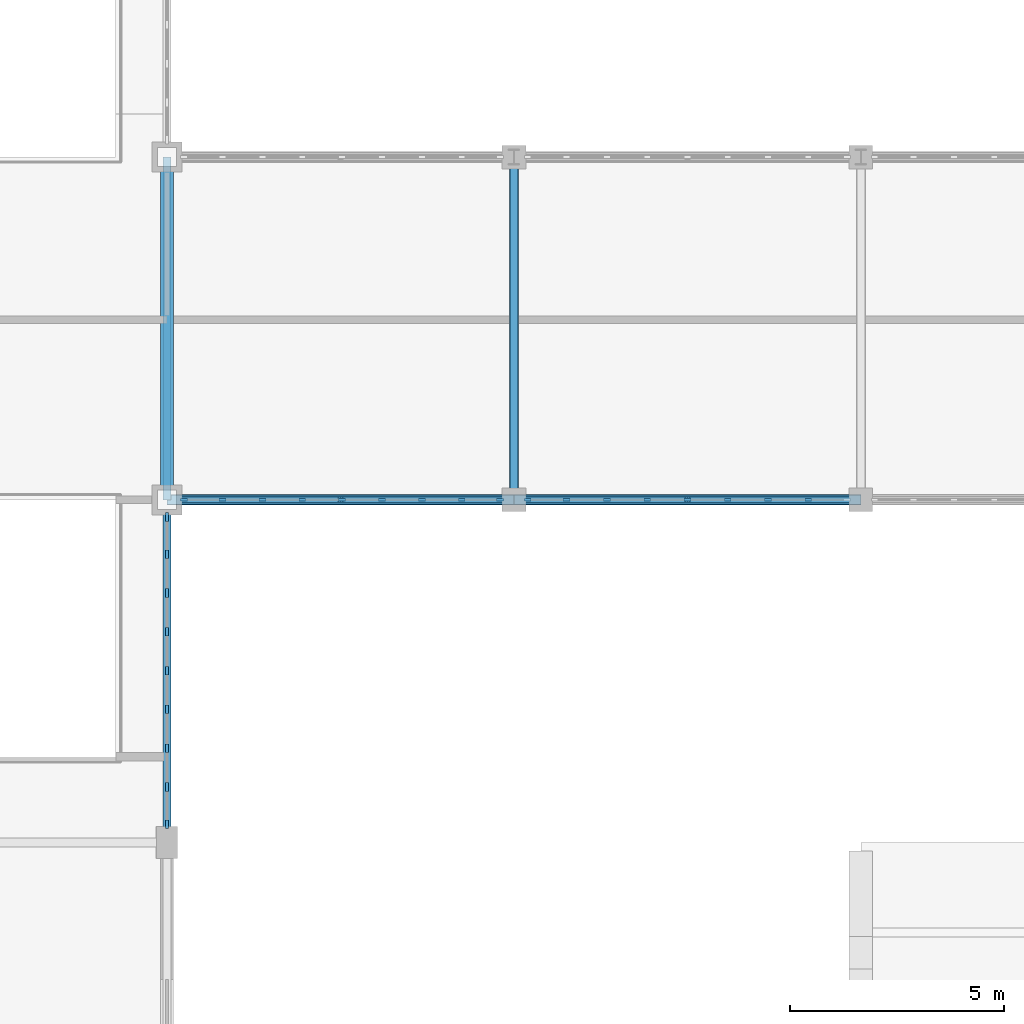
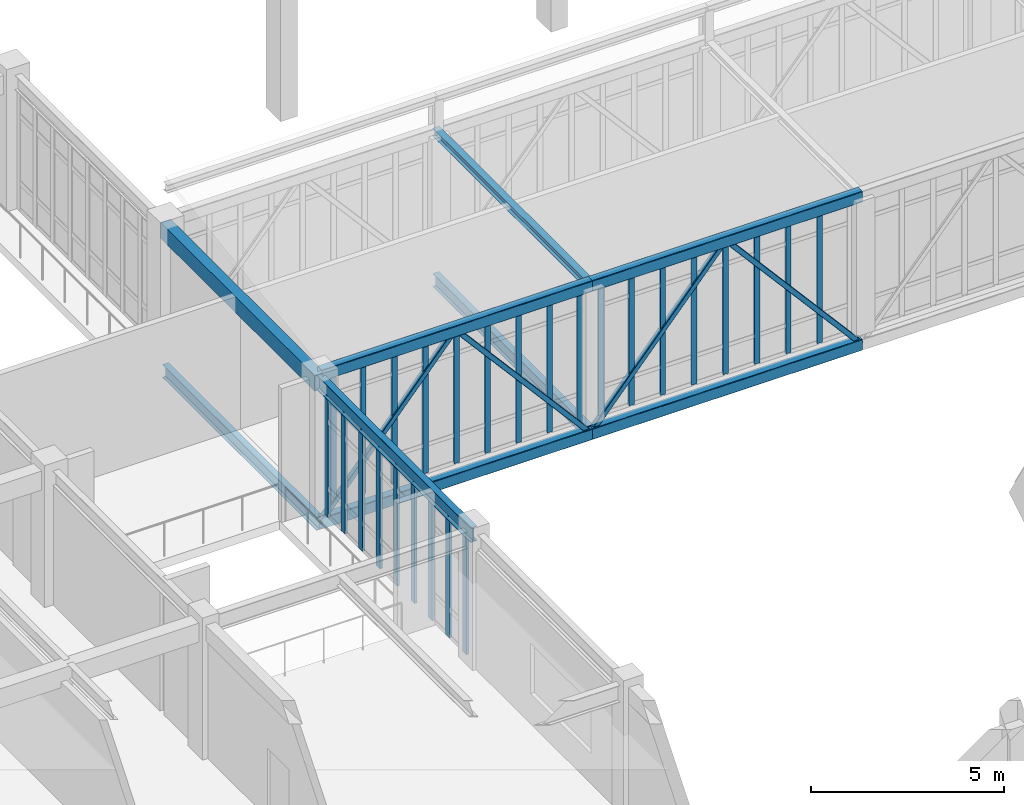
# One storey, part 5 of 67: 34 members, 5 beams, 3 elements without a shape of their own.
"""IFC4 building model written with IfcOpenShell, lengths in metres."""

from ifc_helpers import new_model, si_unit, direction, frame, origin, origin_2d, place, context, subcontext, project, spatial, rectangle, hollow_rectangle, i_section, extrude, material, material_profile, profile_set, type_object, element, aggregate, save


model = new_model("IFC4")

# Units and contexts
model_context = context("Model", 3, precision=1e-05, world=origin(), true_north=direction((0.0, 1.0)))
body_context = subcontext(model_context, "Body", "Model", "MODEL_VIEW")
ifc_project = project(units=[si_unit("LENGTHUNIT", "METRE"), si_unit("AREAUNIT", "SQUARE_METRE"), si_unit("VOLUMEUNIT", "CUBIC_METRE"), si_unit("PLANEANGLEUNIT", "RADIAN"), si_unit("MASSUNIT", "GRAM", prefix="KILO")], contexts=[model_context])

# Site, building, storey
site_placement = place(None, origin())
site = spatial("IfcSite", under=ifc_project, at=site_placement, CompositionType="ELEMENT")
building_placement = place(site_placement, origin())
building = spatial("IfcBuilding", under=site, at=building_placement, Name="Tarnveldt Square Police Headquarters", CompositionType="ELEMENT")
storey_placement = place(building_placement, frame((0.0, 0.0, 10.199951171875)))
storey = spatial("IfcBuildingStorey", under=building, at=storey_placement, Name="L02", CompositionType="ELEMENT", Elevation=10.199951171875)

# Beams
ifc_material_1 = material(Name="Concrete 40 MPa", Category="concrete")
ifc_material_profile_1 = material_profile(ifc_material_1, rectangle(XDim=0.300048828125, YDim=0.5, at=origin_2d()), Name="RC-B300x500")
ifc_profile_set_1 = profile_set([ifc_material_profile_1], Name="Concrete 40 MPa")
beam_type_1 = type_object("IfcBeamType", Name="BM-RC300x500", PredefinedType="BEAM", material=ifc_profile_set_1)
beam_1_placement = place(storey_placement, frame((48.60009765625, 56.0, 3.989990234375), z_axis=(0.0, 1.0, 0.0), x_axis=(-1.0, 0.0, 0.0)))
element("IfcBeam", 1, at=beam_1_placement, inside=storey, type_object=beam_type_1, Name="L03 Grid Girder Y-0778", PredefinedType="BEAM", context=body_context, shape_type="SweptSolid", body=[
    extrude(rectangle(XDim=0.300048828125, YDim=0.5, at=origin_2d()), origin(), (0.0, 0.0, 1.0), 8.0),
])
ifc_material_2 = material(Name="Steel 350W", Category="steel")
ifc_material_profile_2 = material_profile(ifc_material_2, i_section(OverallWidth=0.202880859375, OverallDepth=0.251953125, WebThickness=0.008056640625, FlangeThickness=0.013427734375, FilletRadius=0.012939453125, at=origin_2d()), Name="W250x58")
ifc_profile_set_2 = profile_set([ifc_material_profile_2], Name="Steel 350W")
beam_type_2 = type_object("IfcBeamType", Name="BM-W250x58", PredefinedType="BEAM", material=ifc_profile_set_2)
beam_2_placement = place(storey_placement, frame((56.699951171875, 56.0, 4.25), z_axis=(0.0, 1.0, 0.0), x_axis=(-1.0, 0.0, 0.0)))
element("IfcBeam", 2, at=beam_2_placement, inside=storey, type_object=beam_type_2, Name="Skybridge SBS Roof Strut 2", PredefinedType="BEAM", context=body_context, shape_type="SweptSolid", body=[
    extrude(i_section(OverallWidth=0.202880859375, OverallDepth=0.251953125, WebThickness=0.008056640625, FlangeThickness=0.013427734375, FilletRadius=0.012939453125, at=origin_2d()), origin(), (0.0, 0.0, 1.0), 8.0),
])
ifc_material_profile_3 = material_profile(ifc_material_2, i_section(OverallWidth=0.180908203125, OverallDepth=0.4169921875, WebThickness=0.010986328125, FlangeThickness=0.018310546875, FilletRadius=0.01611328125, at=origin_2d()), Name="W410x85")
ifc_profile_set_3 = profile_set([ifc_material_profile_3], Name="Steel 350W")
beam_type_3 = type_object("IfcBeamType", Name="BM-W410x85", PredefinedType="BEAM", material=ifc_profile_set_3)
for number, where, z_axis, x_axis, name in (
    (3, (48.60009765625, 56.0, -0.488525390625), (0.0, 1.0, 0.0), (-1.0, 0.0, 0.0), "Skybridge SBS Floor Crossbeam 1"),
    (4, (56.699951171875, 56.0, -0.43994140625), (0.0, 1.0, 0.0), (-1.0, 0.0, 0.0), "Skybridge SBS Floor Crossbeam 2"),
):
    element("IfcBeam", number, at=place(storey_placement, frame(where, z_axis=z_axis, x_axis=x_axis)), inside=storey, type_object=beam_type_3, Name=name, PredefinedType="BEAM", context=body_context, shape_type="SweptSolid", body=[
        extrude(i_section(OverallWidth=0.180908203125, OverallDepth=0.4169921875, WebThickness=0.010986328125, FlangeThickness=0.018310546875, FilletRadius=0.01611328125, at=origin_2d()), origin(), (0.0, 0.0, 1.0), 8.0),
    ])
ifc_material_profile_4 = material_profile(ifc_material_2, i_section(OverallWidth=0.19189453125, OverallDepth=0.462890625, WebThickness=0.010498046875, FlangeThickness=0.017578125, FilletRadius=0.01806640625, at=origin_2d()), Name="W460x89")
ifc_profile_set_4 = profile_set([ifc_material_profile_4], Name="Steel 350W")
beam_type_4 = type_object("IfcBeamType", Name="BM-W460x89", PredefinedType="BEAM", material=ifc_profile_set_4)
beam_3_placement = place(storey_placement, frame((48.60009765625, 48.0, 4.008544921875), z_axis=(0.0, 1.0, 0.0), x_axis=(-1.0, 0.0, 0.0)))
element("IfcBeam", 5, at=beam_3_placement, inside=storey, type_object=beam_type_4, Name="L03 Grid Girder Y-0777", PredefinedType="BEAM", context=body_context, shape_type="SweptSolid", body=[
    extrude(i_section(OverallWidth=0.19189453125, OverallDepth=0.462890625, WebThickness=0.010498046875, FlangeThickness=0.017578125, FilletRadius=0.01806640625, at=origin_2d()), origin(), (0.0, 0.0, 1.0), 8.0),
])

# Curtain wall, members
ifc_material_3 = material(Name="Triple-glazed low-e laminated vision glass", Category="glass")
curtain_wall_type_1 = type_object("IfcCurtainWallType", Name="CW-SB-744x424", PredefinedType="USERDEFINED", material=ifc_material_3)
curtain_wall_1_placement = place(storey_placement, origin())
curtain_wall_1 = element("IfcCurtainWall", 6, at=curtain_wall_1_placement, inside=storey, type_object=curtain_wall_type_1, Name="L02 Curtain Wall CW-L02-138", ObjectType="GLAZED CURTAIN WALL", PredefinedType="USERDEFINED")
ifc_material_4 = material(Name="Thermally broken anodised aluminium 6063-T6", Category="aluminium")
ifc_material_profile_5 = material_profile(ifc_material_4, rectangle(XDim=0.06494140625, YDim=0.159912109375, at=origin_2d()), Name="CW-M65x160")
ifc_profile_set_5 = profile_set([ifc_material_profile_5], Name="Thermally broken anodised aluminium 6063-T6")
member_type_1 = type_object("IfcMemberType", Name="CWM-65x160", PredefinedType="MULLION", material=ifc_profile_set_5)
member_1_placement = place(storey_placement, frame((48.99755859375, 56.0, 0.0), z_axis=(0.0, 0.0, 1.0), x_axis=(0.0, 1.0, 0.0)))
member_1 = element("IfcMember", 7, at=member_1_placement, type_object=member_type_1, Name="CW-SB85 mullion 1", PredefinedType="MULLION", context=body_context, shape_type="SweptSolid", body=[
    extrude(rectangle(XDim=0.06494140625, YDim=0.159912109375, at=origin_2d()), origin(), (0.0, 0.0, 1.0), 4.239990234375),
])
member_2_placement = place(storey_placement, frame((49.8955078125, 56.0, 0.0), z_axis=(0.0, 0.0, 1.0), x_axis=(0.0, 1.0, 0.0)))
member_2 = element("IfcMember", 8, at=member_2_placement, type_object=member_type_1, Name="CW-SB85 mullion 2", PredefinedType="MULLION", context=body_context, shape_type="SweptSolid", body=[
    extrude(rectangle(XDim=0.06494140625, YDim=0.159912109375, at=origin_2d()), origin(), (0.0, 0.0, 1.0), 4.239990234375),
])
member_3_placement = place(storey_placement, frame((50.826171875, 56.0, 0.0), z_axis=(0.0, 0.0, 1.0), x_axis=(0.0, 1.0, 0.0)))
member_3 = element("IfcMember", 9, at=member_3_placement, type_object=member_type_1, Name="CW-SB85 mullion 3", PredefinedType="MULLION", context=body_context, shape_type="SweptSolid", body=[
    extrude(rectangle(XDim=0.06494140625, YDim=0.159912109375, at=origin_2d()), origin(), (0.0, 0.0, 1.0), 4.239990234375),
])
member_4_placement = place(storey_placement, frame((51.7568359375, 56.0, 0.0), z_axis=(0.0, 0.0, 1.0), x_axis=(0.0, 1.0, 0.0)))
member_4 = element("IfcMember", 10, at=member_4_placement, type_object=member_type_1, Name="CW-SB85 mullion 4", PredefinedType="MULLION", context=body_context, shape_type="SweptSolid", body=[
    extrude(rectangle(XDim=0.06494140625, YDim=0.159912109375, at=origin_2d()), origin(), (0.0, 0.0, 1.0), 4.239990234375),
])
member_5_placement = place(storey_placement, frame((52.6875, 56.0, 0.0), z_axis=(0.0, 0.0, 1.0), x_axis=(0.0, 1.0, 0.0)))
member_5 = element("IfcMember", 11, at=member_5_placement, type_object=member_type_1, Name="CW-SB85 mullion 5", PredefinedType="MULLION", context=body_context, shape_type="SweptSolid", body=[
    extrude(rectangle(XDim=0.06494140625, YDim=0.159912109375, at=origin_2d()), origin(), (0.0, 0.0, 1.0), 4.239990234375),
])
member_6_placement = place(storey_placement, frame((53.6181640625, 56.0, 0.0), z_axis=(0.0, 0.0, 1.0), x_axis=(0.0, 1.0, 0.0)))
member_6 = element("IfcMember", 12, at=member_6_placement, type_object=member_type_1, Name="CW-SB85 mullion 6", PredefinedType="MULLION", context=body_context, shape_type="SweptSolid", body=[
    extrude(rectangle(XDim=0.06494140625, YDim=0.159912109375, at=origin_2d()), origin(), (0.0, 0.0, 1.0), 4.239990234375),
])
member_7_placement = place(storey_placement, frame((54.548828125, 56.0, 0.0), z_axis=(0.0, 0.0, 1.0), x_axis=(0.0, 1.0, 0.0)))
member_7 = element("IfcMember", 13, at=member_7_placement, type_object=member_type_1, Name="CW-SB85 mullion 7", PredefinedType="MULLION", context=body_context, shape_type="SweptSolid", body=[
    extrude(rectangle(XDim=0.06494140625, YDim=0.159912109375, at=origin_2d()), origin(), (0.0, 0.0, 1.0), 4.239990234375),
])
member_8_placement = place(storey_placement, frame((55.4794921875, 56.0, 0.0), z_axis=(0.0, 0.0, 1.0), x_axis=(0.0, 1.0, 0.0)))
member_8 = element("IfcMember", 14, at=member_8_placement, type_object=member_type_1, Name="CW-SB85 mullion 8", PredefinedType="MULLION", context=body_context, shape_type="SweptSolid", body=[
    extrude(rectangle(XDim=0.06494140625, YDim=0.159912109375, at=origin_2d()), origin(), (0.0, 0.0, 1.0), 4.239990234375),
])
member_9_placement = place(storey_placement, frame((56.37744140625, 56.0, 0.0), z_axis=(0.0, 0.0, 1.0), x_axis=(0.0, 1.0, 0.0)))
member_9 = element("IfcMember", 15, at=member_9_placement, type_object=member_type_1, Name="CW-SB85 mullion 9", PredefinedType="MULLION", context=body_context, shape_type="SweptSolid", body=[
    extrude(rectangle(XDim=0.06494140625, YDim=0.159912109375, at=origin_2d()), origin(), (0.0, 0.0, 1.0), 4.239990234375),
])
aggregate(curtain_wall_1, [member_1, member_2, member_3, member_4, member_5, member_6, member_7, member_8, member_9])

curtain_wall_type_2 = type_object("IfcCurtainWallType", Name="CW-SB-752x424", PredefinedType="USERDEFINED", material=ifc_material_3)
curtain_wall_2_placement = place(storey_placement, origin())
curtain_wall_2 = element("IfcCurtainWall", 16, at=curtain_wall_2_placement, inside=storey, type_object=curtain_wall_type_2, Name="L02 Curtain Wall CW-L02-139", ObjectType="GLAZED CURTAIN WALL", PredefinedType="USERDEFINED")
member_10_placement = place(storey_placement, frame((57.0224609375, 56.0, 0.0), z_axis=(0.0, 0.0, 1.0), x_axis=(0.0, 1.0, 0.0)))
member_10 = element("IfcMember", 17, at=member_10_placement, type_object=member_type_1, Name="CW-SB86 mullion 1", PredefinedType="MULLION", context=body_context, shape_type="SweptSolid", body=[
    extrude(rectangle(XDim=0.06494140625, YDim=0.159912109375, at=origin_2d()), origin(), (0.0, 0.0, 1.0), 4.239990234375),
])
member_11_placement = place(storey_placement, frame((57.929931640625, 56.0, 0.0), z_axis=(0.0, 0.0, 1.0), x_axis=(0.0, 1.0, 0.0)))
member_11 = element("IfcMember", 18, at=member_11_placement, type_object=member_type_1, Name="CW-SB86 mullion 2", PredefinedType="MULLION", context=body_context, shape_type="SweptSolid", body=[
    extrude(rectangle(XDim=0.06494140625, YDim=0.159912109375, at=origin_2d()), origin(), (0.0, 0.0, 1.0), 4.239990234375),
])
member_12_placement = place(storey_placement, frame((58.8701171875, 56.0, 0.0), z_axis=(0.0, 0.0, 1.0), x_axis=(0.0, 1.0, 0.0)))
member_12 = element("IfcMember", 19, at=member_12_placement, type_object=member_type_1, Name="CW-SB86 mullion 3", PredefinedType="MULLION", context=body_context, shape_type="SweptSolid", body=[
    extrude(rectangle(XDim=0.06494140625, YDim=0.159912109375, at=origin_2d()), origin(), (0.0, 0.0, 1.0), 4.239990234375),
])
member_13_placement = place(storey_placement, frame((59.81005859375, 56.0, 0.0), z_axis=(0.0, 0.0, 1.0), x_axis=(0.0, 1.0, 0.0)))
member_13 = element("IfcMember", 20, at=member_13_placement, type_object=member_type_1, Name="CW-SB86 mullion 4", PredefinedType="MULLION", context=body_context, shape_type="SweptSolid", body=[
    extrude(rectangle(XDim=0.06494140625, YDim=0.159912109375, at=origin_2d()), origin(), (0.0, 0.0, 1.0), 4.239990234375),
])
member_14_placement = place(storey_placement, frame((60.75, 56.0, 0.0), z_axis=(0.0, 0.0, 1.0), x_axis=(0.0, 1.0, 0.0)))
member_14 = element("IfcMember", 21, at=member_14_placement, type_object=member_type_1, Name="CW-SB86 mullion 5", PredefinedType="MULLION", context=body_context, shape_type="SweptSolid", body=[
    extrude(rectangle(XDim=0.06494140625, YDim=0.159912109375, at=origin_2d()), origin(), (0.0, 0.0, 1.0), 4.239990234375),
])
member_15_placement = place(storey_placement, frame((61.68994140625, 56.0, 0.0), z_axis=(0.0, 0.0, 1.0), x_axis=(0.0, 1.0, 0.0)))
member_15 = element("IfcMember", 22, at=member_15_placement, type_object=member_type_1, Name="CW-SB86 mullion 6", PredefinedType="MULLION", context=body_context, shape_type="SweptSolid", body=[
    extrude(rectangle(XDim=0.06494140625, YDim=0.159912109375, at=origin_2d()), origin(), (0.0, 0.0, 1.0), 4.239990234375),
])
member_16_placement = place(storey_placement, frame((62.6298828125, 56.0, 0.0), z_axis=(0.0, 0.0, 1.0), x_axis=(0.0, 1.0, 0.0)))
member_16 = element("IfcMember", 23, at=member_16_placement, type_object=member_type_1, Name="CW-SB86 mullion 7", PredefinedType="MULLION", context=body_context, shape_type="SweptSolid", body=[
    extrude(rectangle(XDim=0.06494140625, YDim=0.159912109375, at=origin_2d()), origin(), (0.0, 0.0, 1.0), 4.239990234375),
])
member_17_placement = place(storey_placement, frame((63.570068359375, 56.0, 0.0), z_axis=(0.0, 0.0, 1.0), x_axis=(0.0, 1.0, 0.0)))
member_17 = element("IfcMember", 24, at=member_17_placement, type_object=member_type_1, Name="CW-SB86 mullion 8", PredefinedType="MULLION", context=body_context, shape_type="SweptSolid", body=[
    extrude(rectangle(XDim=0.06494140625, YDim=0.159912109375, at=origin_2d()), origin(), (0.0, 0.0, 1.0), 4.239990234375),
])
aggregate(curtain_wall_2, [member_10, member_11, member_12, member_13, member_14, member_15, member_16, member_17])

curtain_wall_type_3 = type_object("IfcCurtainWallType", Name="CW-WG-724x377", PredefinedType="USERDEFINED", material=ifc_material_3)
curtain_wall_3_placement = place(storey_placement, origin())
curtain_wall_3 = element("IfcCurtainWall", 25, at=curtain_wall_3_placement, inside=storey, type_object=curtain_wall_type_3, Name="L02 Curtain Wall CW-L02-073", ObjectType="GLAZED CURTAIN WALL", PredefinedType="USERDEFINED")
ifc_material_profile_6 = material_profile(ifc_material_4, rectangle(XDim=0.074951171875, YDim=0.199951171875, at=origin_2d()), Name="CW-M75x200")
ifc_profile_set_6 = profile_set([ifc_material_profile_6], Name="Thermally broken anodised aluminium 6063-T6")
member_type_2 = type_object("IfcMemberType", Name="CWM-75x200", PredefinedType="MULLION", material=ifc_profile_set_6)
member_18_placement = place(storey_placement, frame((48.60009765625, 48.427490234375, 0.0), z_axis=(0.0, 0.0, 1.0), x_axis=(-1.0, 0.0, 0.0)))
member_18 = element("IfcMember", 26, at=member_18_placement, type_object=member_type_2, Name="CW-WG33 mullion 1", PredefinedType="MULLION", context=body_context, shape_type="SweptSolid", body=[
    extrude(rectangle(XDim=0.074951171875, YDim=0.199951171875, at=origin_2d()), origin(), (0.0, 0.0, 1.0), 3.76904296875),
])
member_19_placement = place(storey_placement, frame((48.60009765625, 49.295654296875, 0.0), z_axis=(0.0, 0.0, 1.0), x_axis=(-1.0, 0.0, 0.0)))
member_19 = element("IfcMember", 27, at=member_19_placement, type_object=member_type_2, Name="CW-WG33 mullion 2", PredefinedType="MULLION", context=body_context, shape_type="SweptSolid", body=[
    extrude(rectangle(XDim=0.074951171875, YDim=0.199951171875, at=origin_2d()), origin(), (0.0, 0.0, 1.0), 3.76904296875),
])
member_20_placement = place(storey_placement, frame((48.60009765625, 50.201171875, 0.0), z_axis=(0.0, 0.0, 1.0), x_axis=(-1.0, 0.0, 0.0)))
member_20 = element("IfcMember", 28, at=member_20_placement, type_object=member_type_2, Name="CW-WG33 mullion 3", PredefinedType="MULLION", context=body_context, shape_type="SweptSolid", body=[
    extrude(rectangle(XDim=0.074951171875, YDim=0.199951171875, at=origin_2d()), origin(), (0.0, 0.0, 1.0), 3.76904296875),
])
member_21_placement = place(storey_placement, frame((48.60009765625, 51.10693359375, 0.0), z_axis=(0.0, 0.0, 1.0), x_axis=(-1.0, 0.0, 0.0)))
member_21 = element("IfcMember", 29, at=member_21_placement, type_object=member_type_2, Name="CW-WG33 mullion 4", PredefinedType="MULLION", context=body_context, shape_type="SweptSolid", body=[
    extrude(rectangle(XDim=0.074951171875, YDim=0.199951171875, at=origin_2d()), origin(), (0.0, 0.0, 1.0), 3.76904296875),
])
member_22_placement = place(storey_placement, frame((48.60009765625, 52.012451171875, 0.0), z_axis=(0.0, 0.0, 1.0), x_axis=(-1.0, 0.0, 0.0)))
member_22 = element("IfcMember", 30, at=member_22_placement, type_object=member_type_2, Name="CW-WG33 mullion 5", PredefinedType="MULLION", context=body_context, shape_type="SweptSolid", body=[
    extrude(rectangle(XDim=0.074951171875, YDim=0.199951171875, at=origin_2d()), origin(), (0.0, 0.0, 1.0), 3.76904296875),
])
member_23_placement = place(storey_placement, frame((48.60009765625, 52.918212890625, 0.0), z_axis=(0.0, 0.0, 1.0), x_axis=(-1.0, 0.0, 0.0)))
member_23 = element("IfcMember", 31, at=member_23_placement, type_object=member_type_2, Name="CW-WG33 mullion 6", PredefinedType="MULLION", context=body_context, shape_type="SweptSolid", body=[
    extrude(rectangle(XDim=0.074951171875, YDim=0.199951171875, at=origin_2d()), origin(), (0.0, 0.0, 1.0), 3.76904296875),
])
member_24_placement = place(storey_placement, frame((48.60009765625, 53.82373046875, 0.0), z_axis=(0.0, 0.0, 1.0), x_axis=(-1.0, 0.0, 0.0)))
member_24 = element("IfcMember", 32, at=member_24_placement, type_object=member_type_2, Name="CW-WG33 mullion 7", PredefinedType="MULLION", context=body_context, shape_type="SweptSolid", body=[
    extrude(rectangle(XDim=0.074951171875, YDim=0.199951171875, at=origin_2d()), origin(), (0.0, 0.0, 1.0), 3.76904296875),
])
member_25_placement = place(storey_placement, frame((48.60009765625, 54.7294921875, 0.0), z_axis=(0.0, 0.0, 1.0), x_axis=(-1.0, 0.0, 0.0)))
member_25 = element("IfcMember", 33, at=member_25_placement, type_object=member_type_2, Name="CW-WG33 mullion 8", PredefinedType="MULLION", context=body_context, shape_type="SweptSolid", body=[
    extrude(rectangle(XDim=0.074951171875, YDim=0.199951171875, at=origin_2d()), origin(), (0.0, 0.0, 1.0), 3.76904296875),
])
member_26_placement = place(storey_placement, frame((48.60009765625, 55.597412109375, 0.0), z_axis=(0.0, 0.0, 1.0), x_axis=(-1.0, 0.0, 0.0)))
member_26 = element("IfcMember", 34, at=member_26_placement, type_object=member_type_2, Name="CW-WG33 mullion 9", PredefinedType="MULLION", context=body_context, shape_type="SweptSolid", body=[
    extrude(rectangle(XDim=0.074951171875, YDim=0.199951171875, at=origin_2d()), origin(), (0.0, 0.0, 1.0), 3.76904296875),
])
aggregate(curtain_wall_3, [member_18, member_19, member_20, member_21, member_22, member_23, member_24, member_25, member_26])

# Members
ifc_material_profile_7 = material_profile(ifc_material_2, hollow_rectangle(XDim=0.25390625, YDim=0.355712890625, WallThickness=0.015869140625, InnerFilletRadius=0.015869140625, OuterFilletRadius=0.03173828125, at=origin_2d()), Name="HSS356x254x16")
ifc_profile_set_7 = profile_set([ifc_material_profile_7], Name="Steel 350W")
member_type_3 = type_object("IfcMemberType", Name="MEM-SB-CHORD", PredefinedType="CHORD", material=ifc_profile_set_7)
for number, where, z_axis, x_axis, name in (
    (35, (48.60009765625, 56.0, -0.43994140625), (1.0, 0.0, 0.0), (0.0, 1.0, 0.0), "Skybridge SBS Bottom Chord S1"),
    (36, (48.60009765625, 56.0, 4.25), (1.0, 0.0, 0.0), (0.0, 1.0, 0.0), "Skybridge SBS Top Chord S1"),
):
    element("IfcMember", number, at=place(storey_placement, frame(where, z_axis=z_axis, x_axis=x_axis)), inside=storey, type_object=member_type_3, Name=name, PredefinedType="CHORD", context=body_context, shape_type="SweptSolid", body=[
        extrude(hollow_rectangle(XDim=0.25390625, YDim=0.355712890625, WallThickness=0.015869140625, InnerFilletRadius=0.015869140625, OuterFilletRadius=0.03173828125, at=origin_2d()), origin(), (0.0, 0.0, 1.0), 8.099853515625),
    ])
for number, where, z_axis, x_axis, name in (
    (37, (56.699951171875, 56.0, -0.43994140625), (1.0, 0.0, 0.0), (0.0, 1.0, 0.0), "Skybridge SBS Bottom Chord S2"),
    (38, (56.699951171875, 56.0, 4.25), (1.0, 0.0, 0.0), (0.0, 1.0, 0.0), "Skybridge SBS Top Chord S2"),
):
    element("IfcMember", number, at=place(storey_placement, frame(where, z_axis=z_axis, x_axis=x_axis)), inside=storey, type_object=member_type_3, Name=name, PredefinedType="CHORD", context=body_context, shape_type="SweptSolid", body=[
        extrude(hollow_rectangle(XDim=0.25390625, YDim=0.355712890625, WallThickness=0.015869140625, InnerFilletRadius=0.015869140625, OuterFilletRadius=0.03173828125, at=origin_2d()), origin(), (0.0, 0.0, 1.0), 8.10009765625),
    ])
ifc_material_profile_8 = material_profile(ifc_material_2, hollow_rectangle(XDim=0.15234375, YDim=0.15234375, WallThickness=0.009521484375, InnerFilletRadius=0.009521484375, OuterFilletRadius=0.01904296875, at=origin_2d()), Name="HSS152x152x9.5")
ifc_profile_set_8 = profile_set([ifc_material_profile_8], Name="Steel 350W")
member_type_4 = type_object("IfcMemberType", Name="MEM-SB-WEB", PredefinedType="BRACE", material=ifc_profile_set_8)
for number, where, z_axis, x_axis, name in (
    (39, (48.60009765625, 56.0, -0.43994140625), (0.65356447569, 0.0, 0.756870845069), (0.0, 1.0, 0.0), "Skybridge SBS Web A1"),
    (40, (56.699951171875, 56.0, -0.43994140625), (-0.653587045151, 0.0, 0.756851355558), (0.0, -1.0, 0.0), "Skybridge SBS Web B1"),
    (41, (56.699951171875, 56.0, -0.43994140625), (0.653587045151, 0.0, 0.756851355558), (0.0, 1.0, 0.0), "Skybridge SBS Web A2"),
    (42, (64.800048828125, 56.0, -0.43994140625), (-0.653587045151, 0.0, 0.756851355558), (0.0, -1.0, 0.0), "Skybridge SBS Web B2"),
):
    element("IfcMember", number, at=place(storey_placement, frame(where, z_axis=z_axis, x_axis=x_axis)), inside=storey, type_object=member_type_4, Name=name, PredefinedType="BRACE", context=body_context, shape_type="SweptSolid", body=[
        extrude(hollow_rectangle(XDim=0.15234375, YDim=0.15234375, WallThickness=0.009521484375, InnerFilletRadius=0.009521484375, OuterFilletRadius=0.01904296875, at=origin_2d()), origin(), (0.0, 0.0, 1.0), 6.196533203125),
    ])

save(model, "model.ifc")
